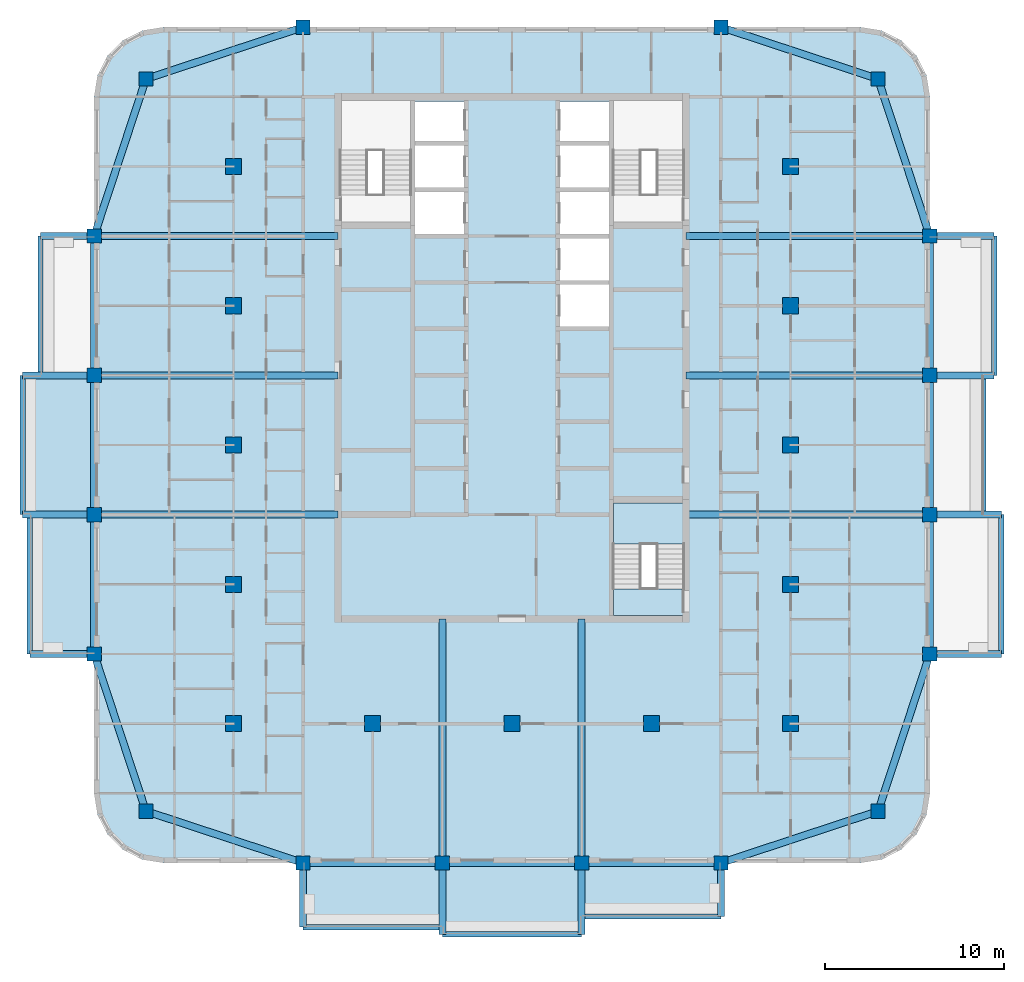
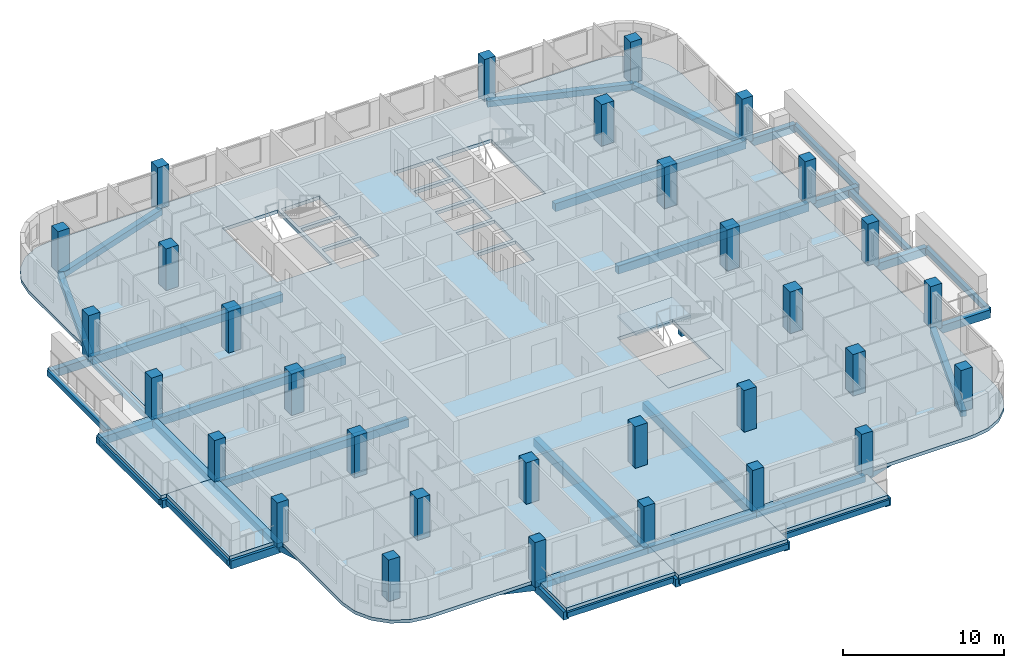
# One storey, part 1 of 16: 46 beams, 31 columns, 8 slabs, 1 element without a shape of its own.
"""IFC4 building model written with IfcOpenShell, lengths in metres."""

import ifcopenshell
import ifcopenshell.guid

model = None  # the IFC model being written
_history = None  # IfcOwnerHistory: only IFC2X3 demands one
_inside = {}  # id of a spatial element -> (the spatial element, [elements in it])
_under = {}  # id of a project, library or spatial element -> (it, [spatial elements below it])
_declared = {}  # id of a project -> (the project, [libraries it declares])
_typed = {}  # id of a type object -> (the type object, [elements of that type])
_made_of = {}  # id of a material, layer set ... -> (it, [elements and type objects made of it])


def new_model(schema):
    """Start an empty IFC model of exactly this schema.

    Asked for "IFC4X3", IfcOpenShell would pick the latest addendum, in which some entities
    have other attributes; the version numbers below select the first issue.
    IFC2X3 requires an IfcOwnerHistory on every rooted entity: one is made here for all.
    """
    global model, _history
    if schema == "IFC4X3":
        model = ifcopenshell.file(schema_version=(4, 3, 0, 0))
    else:
        model = ifcopenshell.file(schema=schema)
    _inside.clear()
    _under.clear()
    _declared.clear()
    _typed.clear()
    _made_of.clear()
    _history = None
    if model.schema == "IFC2X3":
        org = make("IfcOrganization", Name="unknown")
        user = make(
            "IfcPersonAndOrganization",
            ThePerson=make("IfcPerson", FamilyName="unknown"),
            TheOrganization=org,
        )
        app = make(
            "IfcApplication",
            ApplicationDeveloper=org,
            Version="unknown",
            ApplicationFullName="unknown",
            ApplicationIdentifier="unknown",
        )
        _history = make(
            "IfcOwnerHistory",
            OwningUser=user,
            OwningApplication=app,
            ChangeAction="ADDED",
            CreationDate=0,
        )
    return model


def make(cls, **values):
    """One entity of the class cls with the attributes given. An attribute that is None is left unset."""
    return model.create_entity(
        cls, **{name: value for name, value in values.items() if value is not None}
    )


def rooted(cls, **values):
    """An entity with a GlobalId (a new one), such as an element, a storey or a relation."""
    return make(cls, GlobalId=ifcopenshell.guid.new(), OwnerHistory=_history, **values)


def si_unit(unit_type, name, prefix=None):
    """IfcSIUnit, for example si_unit("LENGTHUNIT", "METRE", prefix="MILLI")."""
    return make("IfcSIUnit", UnitType=unit_type, Prefix=prefix, Name=name)


def assignment(units):
    """IfcUnitAssignment: the units of a project."""
    return None if units is None else make("IfcUnitAssignment", Units=units)


def point(xyz):
    """IfcCartesianPoint."""
    return None if xyz is None else make("IfcCartesianPoint", Coordinates=xyz)


def direction(xyz):
    """IfcDirection."""
    return None if xyz is None else make("IfcDirection", DirectionRatios=xyz)


def frame(location, z_axis=None, x_axis=None):
    """IfcAxis2Placement3D, a coordinate frame: its origin and axes. An axis left out is left unset."""
    return make(
        "IfcAxis2Placement3D",
        Location=point(location),
        Axis=direction(z_axis),
        RefDirection=direction(x_axis),
    )


def frame_2d(location, x_axis=None):
    """IfcAxis2Placement2D, a coordinate frame in the plane: its origin and x axis."""
    return make(
        "IfcAxis2Placement2D", Location=point(location), RefDirection=direction(x_axis)
    )


def origin():
    """The frame at (0, 0, 0) with its axes left unset."""
    return frame((0.0, 0.0, 0.0))


def origin_2d():
    """The frame at (0, 0) in the plane with its x axis left unset."""
    return frame_2d((0.0, 0.0))


def place(relative_to, where):
    """IfcLocalPlacement: puts the frame where relative to a parent placement (None: the world)."""
    return make(
        "IfcLocalPlacement", PlacementRelTo=relative_to, RelativePlacement=where
    )


def context(
    kind, dimensions, precision=None, world=None, true_north=None, identifier=None
):
    """IfcGeometricRepresentationContext, for example the 3D "Model" context."""
    return make(
        "IfcGeometricRepresentationContext",
        ContextIdentifier=identifier,
        ContextType=kind,
        CoordinateSpaceDimension=dimensions,
        Precision=precision,
        WorldCoordinateSystem=world,
        TrueNorth=true_north,
    )


def subcontext(parent, identifier, kind, view, scale=None):
    """IfcGeometricRepresentationSubContext, for example "Body" below "Model"."""
    return make(
        "IfcGeometricRepresentationSubContext",
        ContextIdentifier=identifier,
        ContextType=kind,
        ParentContext=parent,
        TargetScale=scale,
        TargetView=view,
    )


def project(units=None, contexts=None):
    """IfcProject with its units and contexts."""
    return rooted(
        "IfcProject",
        Name="project",
        RepresentationContexts=contexts,
        UnitsInContext=assignment(units),
    )


def spatial(cls, under=None, at=None, **own):
    """A site, building, storey or space (cls), placed at a placement, below another one or the project."""
    s = rooted(cls, ObjectPlacement=at, **own)
    if under is not None:
        _under.setdefault(under.id(), (under, []))[1].append(s)
    return s


def polyline(points):
    """IfcPolyline through the points."""
    return make("IfcPolyline", Points=[point(p) for p in points])


def profile(cls, at=None, kind="AREA", **sizes):
    """A parametric profile (cls). Its sizes go by their IFC names, for example OverallWidth=200.0."""
    return make(cls, ProfileType=kind, Position=at, **sizes)


def rectangle(**sizes):
    """IfcRectangleProfileDef."""
    return profile("IfcRectangleProfileDef", **sizes)


def outline(outer, holes=None, kind="AREA"):
    """IfcArbitraryClosedProfileDef: a profile drawn as a closed curve; with holes, ...WithVoids."""
    if holes is None:
        return make("IfcArbitraryClosedProfileDef", ProfileType=kind, OuterCurve=outer)
    return make(
        "IfcArbitraryProfileDefWithVoids",
        ProfileType=kind,
        OuterCurve=outer,
        InnerCurves=holes,
    )


def extrude(swept, where, along, depth):
    """IfcExtrudedAreaSolid: the profile swept, set in the frame where, extruded along a direction by depth."""
    return make(
        "IfcExtrudedAreaSolid",
        SweptArea=swept,
        Position=where,
        ExtrudedDirection=direction(along),
        Depth=depth,
    )


def shape(context_of_items, identifier, shape_type, items):
    """IfcShapeRepresentation: the items that make up one representation, for example the "Body"."""
    return make(
        "IfcShapeRepresentation",
        ContextOfItems=context_of_items,
        RepresentationIdentifier=identifier,
        RepresentationType=shape_type,
        Items=items,
    )


def material(Name=None, Category=None):
    """IfcMaterial."""
    return make("IfcMaterial", Name=Name, Category=Category)


def layer(
    of_material, thickness, ventilated=None, Name=None, Category=None, Priority=None
):
    """IfcMaterialLayer: one layer of a wall or slab, of a material (None: an air gap)."""
    return make(
        "IfcMaterialLayer",
        Material=of_material,
        LayerThickness=thickness,
        IsVentilated=ventilated,
        Name=Name,
        Category=Category,
        Priority=Priority,
    )


def layer_set(layers, Name=None):
    """IfcMaterialLayerSet."""
    return make("IfcMaterialLayerSet", MaterialLayers=layers, LayerSetName=Name)


def material_profile(
    of_material, cross_section, Name=None, Category=None, Priority=None
):
    """IfcMaterialProfile: a cross section and its material."""
    return make(
        "IfcMaterialProfile",
        Name=Name,
        Material=of_material,
        Profile=cross_section,
        Priority=Priority,
        Category=Category,
    )


def profile_set(profiles, Name=None, composite=None):
    """IfcMaterialProfileSet."""
    return make(
        "IfcMaterialProfileSet",
        Name=Name,
        MaterialProfiles=profiles,
        CompositeProfile=composite,
    )


def made_of(thing, what):
    """Note that an element or type object is made of a material, layer set ...; save() writes the relation."""
    if what is not None:
        _made_of.setdefault(what.id(), (what, []))[1].append(thing)
    return thing


def type_object(cls, material=None, **own):
    """A type object (cls), such as IfcWallType, which elements share."""
    return made_of(rooted(cls, **own), material)


def element(
    cls,
    number,
    at=None,
    inside=None,
    cuts=None,
    type_object=None,
    material=None,
    context=None,
    identifier="Body",
    shape_type=None,
    held_by="IfcProductDefinitionShape",
    body=None,
    shapes=None,
    **own,
):
    """One element of the class cls, such as IfcWall. Its Tag is "e" and its number.

    at: its placement. inside: the storey or other place that contains it. cuts: it is an
    opening in that element (IfcRelVoidsElement). A single representation is given by context,
    identifier, shape_type and body (its items); several are given by shapes. held_by: the class
    of the entity that holds the representations. save() writes the other relations.
    """
    e = rooted(cls, Tag="e%d" % number, ObjectPlacement=at, **own)
    if body is not None:
        shapes = [shape(context, identifier, shape_type, body)]
    if shapes is not None:
        e.Representation = make(held_by, Representations=shapes)
    if inside is not None:
        _inside.setdefault(inside.id(), (inside, []))[1].append(e)
    if cuts is not None:
        rooted(
            "IfcRelVoidsElement", RelatingBuildingElement=cuts, RelatedOpeningElement=e
        )
    if type_object is not None:
        _typed.setdefault(type_object.id(), (type_object, []))[1].append(e)
    return made_of(e, material)


def aggregate(whole, parts):
    """IfcRelAggregates: a whole, such as a stair, and the parts it consists of."""
    return rooted("IfcRelAggregates", RelatingObject=whole, RelatedObjects=parts)


def save(model, path):
    """Write the relations noted so far, then the file.

    IfcRelAggregates (storeys below a building ...), IfcRelContainedInSpatialStructure (elements
    in a storey), IfcRelDefinesByType, IfcRelAssociatesMaterial and IfcRelDeclares: one each for
    every whole, place, type object, material and project.
    """
    for whole, parts in _under.values():
        aggregate(whole, parts)
    for where, things in _inside.values():
        rooted(
            "IfcRelContainedInSpatialStructure",
            RelatedElements=things,
            RelatingStructure=where,
        )
    for kind, things in _typed.values():
        rooted("IfcRelDefinesByType", RelatedObjects=things, RelatingType=kind)
    for what, things in _made_of.values():
        rooted("IfcRelAssociatesMaterial", RelatedObjects=things, RelatingMaterial=what)
    for by, libraries in _declared.values():
        rooted("IfcRelDeclares", RelatingContext=by, RelatedDefinitions=libraries)
    model.write(path)


model = new_model("IFC4")

# Units and contexts
model_context = context("Model", 3, precision=1e-05, world=origin(), true_north=direction((0.0, 1.0)))
body_context = subcontext(model_context, "Body", "Model", "MODEL_VIEW")
ifc_project = project(units=[si_unit("LENGTHUNIT", "METRE"), si_unit("AREAUNIT", "SQUARE_METRE"), si_unit("VOLUMEUNIT", "CUBIC_METRE"), si_unit("PLANEANGLEUNIT", "RADIAN"), si_unit("MASSUNIT", "GRAM", prefix="KILO")], contexts=[model_context])

# Site, building, storey
site_placement = place(None, origin())
site = spatial("IfcSite", under=ifc_project, at=site_placement, CompositionType="ELEMENT")
building_placement = place(site_placement, origin())
building = spatial("IfcBuilding", under=site, at=building_placement, Name="Ludao Terraces", CompositionType="ELEMENT")
storey_placement = place(building_placement, frame((0.0, 0.0, 207.5)))
storey = spatial("IfcBuildingStorey", under=building, at=storey_placement, Name="L56", CompositionType="ELEMENT", Elevation=207.5)

# Columns
ifc_material_1 = material(Name="Concrete C50", Category="concrete")
ifc_material_profile_1 = material_profile(ifc_material_1, rectangle(XDim=0.800048828125, YDim=0.800048828125, at=origin_2d()), Name="800 X 800")
ifc_profile_set_1 = profile_set([ifc_material_profile_1], Name="Concrete C50")
column_type_1 = type_object("IfcColumnType", Name="RC column 800x800 C50", PredefinedType="COLUMN", material=ifc_profile_set_1)
for number, where, z_axis, x_axis, name in (
    (1, (64.5, 44.5, -0.25), (0.0, 0.0, 1.0), (1.0, 0.0, 0.0), "Column L56 C0029x0029"),
    (2, (105.5, 44.5, -0.25), (0.0, 0.0, 1.0), (1.0, 0.0, 0.0), "Column L56 C0439x0029"),
    (3, (64.5, 85.5, -0.25), (0.0, 0.0, 1.0), (1.0, 0.0, 0.0), "Column L56 C0029x0439"),
    (4, (105.5, 85.5, -0.25), (0.0, 0.0, 1.0), (1.0, 0.0, 0.0), "Column L56 C0439x0439"),
    (5, (61.60009765625, 53.300048828125, -0.25), (0.0, 0.0, 1.0), (1.0, 0.0, 0.0), "Column L56 F0000x0117"),
    (6, (108.39990234375, 53.300048828125, -0.25), (0.0, 0.0, 1.0), (1.0, 0.0, 0.0), "Column L56 F0468x0117"),
    (7, (73.300048828125, 41.60009765625, -0.25), (0.0, 0.0, 1.0), (1.0, 0.0, 0.0), "Column L56 F0117x0000"),
    (8, (73.300048828125, 88.39990234375, -0.25), (0.0, 0.0, 1.0), (1.0, 0.0, 0.0), "Column L56 F0117x0468"),
    (9, (61.60009765625, 61.10009765625, -0.25), (0.0, 0.0, 1.0), (1.0, 0.0, 0.0), "Column L56 F0000x0195"),
    (10, (108.39990234375, 61.10009765625, -0.25), (0.0, 0.0, 1.0), (1.0, 0.0, 0.0), "Column L56 F0468x0195"),
    (11, (81.10009765625, 41.60009765625, -0.25), (0.0, 0.0, 1.0), (1.0, 0.0, 0.0), "Column L56 F0195x0000"),
    (12, (61.60009765625, 68.89990234375, -0.25), (0.0, 0.0, 1.0), (1.0, 0.0, 0.0), "Column L56 F0000x0273"),
    (13, (108.39990234375, 68.89990234375, -0.25), (0.0, 0.0, 1.0), (1.0, 0.0, 0.0), "Column L56 F0468x0273"),
    (14, (88.89990234375, 41.60009765625, -0.25), (0.0, 0.0, 1.0), (1.0, 0.0, 0.0), "Column L56 F0273x0000"),
    (15, (61.60009765625, 76.699951171875, -0.25), (0.0, 0.0, 1.0), (1.0, 0.0, 0.0), "Column L56 F0000x0351"),
    (16, (108.39990234375, 76.699951171875, -0.25), (0.0, 0.0, 1.0), (1.0, 0.0, 0.0), "Column L56 F0468x0351"),
    (17, (96.699951171875, 41.60009765625, -0.25), (0.0, 0.0, 1.0), (1.0, 0.0, 0.0), "Column L56 F0351x0000"),
    (18, (96.699951171875, 88.39990234375, -0.25), (0.0, 0.0, 1.0), (1.0, 0.0, 0.0), "Column L56 F0351x0468"),
):
    element("IfcColumn", number, at=place(storey_placement, frame(where, z_axis=z_axis, x_axis=x_axis)), inside=storey, type_object=column_type_1, Name=name, PredefinedType="COLUMN", context=body_context, shape_type="SweptSolid", body=[
        extrude(rectangle(XDim=0.800048828125, YDim=0.800048828125, at=origin_2d()), origin(), (0.0, 0.0, 1.0), 3.39990234375),
    ])
ifc_material_profile_2 = material_profile(ifc_material_1, rectangle(XDim=0.89990234375, YDim=0.89990234375, at=origin_2d()), Name="900 X 900")
ifc_profile_set_2 = profile_set([ifc_material_profile_2], Name="Concrete C50")
column_type_2 = type_object("IfcColumnType", Name="RC column 900x900 C50", PredefinedType="COLUMN", material=ifc_profile_set_2)
for number, where, z_axis, x_axis, name in (
    (19, (69.39990234375, 49.39990234375, -0.25), (0.0, 0.0, 1.0), (1.0, 0.0, 0.0), "Column L56 S0078x0078"),
    (20, (69.39990234375, 57.199951171875, -0.25), (0.0, 0.0, 1.0), (1.0, 0.0, 0.0), "Column L56 S0078x0156"),
    (21, (69.39990234375, 65.0, -0.25), (0.0, 0.0, 1.0), (1.0, 0.0, 0.0), "Column L56 S0078x0234"),
    (22, (69.39990234375, 72.800048828125, -0.25), (0.0, 0.0, 1.0), (1.0, 0.0, 0.0), "Column L56 S0078x0312"),
    (23, (69.39990234375, 80.60009765625, -0.25), (0.0, 0.0, 1.0), (1.0, 0.0, 0.0), "Column L56 S0078x0390"),
    (24, (77.199951171875, 49.39990234375, -0.25), (0.0, 0.0, 1.0), (1.0, 0.0, 0.0), "Column L56 S0156x0078"),
    (25, (85.0, 49.39990234375, -0.25), (0.0, 0.0, 1.0), (1.0, 0.0, 0.0), "Column L56 S0234x0078"),
    (26, (92.800048828125, 49.39990234375, -0.25), (0.0, 0.0, 1.0), (1.0, 0.0, 0.0), "Column L56 S0312x0078"),
    (27, (100.60009765625, 49.39990234375, -0.25), (0.0, 0.0, 1.0), (1.0, 0.0, 0.0), "Column L56 S0390x0078"),
    (28, (100.60009765625, 57.199951171875, -0.25), (0.0, 0.0, 1.0), (1.0, 0.0, 0.0), "Column L56 S0390x0156"),
    (29, (100.60009765625, 65.0, -0.25), (0.0, 0.0, 1.0), (1.0, 0.0, 0.0), "Column L56 S0390x0234"),
    (30, (100.60009765625, 72.800048828125, -0.25), (0.0, 0.0, 1.0), (1.0, 0.0, 0.0), "Column L56 S0390x0312"),
    (31, (100.60009765625, 80.60009765625, -0.25), (0.0, 0.0, 1.0), (1.0, 0.0, 0.0), "Column L56 S0390x0390"),
):
    element("IfcColumn", number, at=place(storey_placement, frame(where, z_axis=z_axis, x_axis=x_axis)), inside=storey, type_object=column_type_2, Name=name, PredefinedType="COLUMN", context=body_context, shape_type="SweptSolid", body=[
        extrude(rectangle(XDim=0.89990234375, YDim=0.89990234375, at=origin_2d()), origin(), (0.0, 0.0, 1.0), 3.39990234375),
    ])

# Beams
ifc_material_2 = material(Name="Concrete C40", Category="concrete")
ifc_material_profile_3 = material_profile(ifc_material_2, rectangle(XDim=0.300048828125, YDim=0.39990234375, at=origin_2d()), Name="300 X 400")
ifc_profile_set_3 = profile_set([ifc_material_profile_3], Name="Concrete C40")
beam_type_1 = type_object("IfcBeamType", Name="RC beam 300x400 C40", PredefinedType="BEAM", material=ifc_profile_set_3)
beam_1_placement = place(storey_placement, frame((73.300048828125, 38.0, -0.449951171875), z_axis=(1.0, 0.0, 0.0), x_axis=(0.0, 1.0, 0.0)))
element("IfcBeam", 32, at=beam_1_placement, inside=storey, type_object=beam_type_1, Name="Balcony edge beam L56 S1", PredefinedType="BEAM", context=body_context, shape_type="SweptSolid", body=[
    extrude(rectangle(XDim=0.300048828125, YDim=0.39990234375, at=origin_2d()), origin(), (0.0, 0.0, 1.0), 7.800048828125),
])
beam_2_placement = place(storey_placement, frame((81.10009765625, 37.60009765625, -0.449951171875), z_axis=(1.0, 0.0, 0.0), x_axis=(0.0, 1.0, 0.0)))
element("IfcBeam", 33, at=beam_2_placement, inside=storey, type_object=beam_type_1, Name="Balcony edge beam L56 S2", PredefinedType="BEAM", context=body_context, shape_type="SweptSolid", body=[
    extrude(rectangle(XDim=0.300048828125, YDim=0.39990234375, at=origin_2d()), origin(), (0.0, 0.0, 1.0), 7.7998046875),
])
for number, where, z_axis, x_axis, name in (
    (34, (88.89990234375, 38.60009765625, -0.449951171875), (1.0, 0.0, 0.0), (0.0, 1.0, 0.0), "Balcony edge beam L56 S3"),
    (35, (112.39990234375, 53.300048828125, -0.449951171875), (0.0, 1.0, 0.0), (-1.0, 0.0, 0.0), "Balcony edge beam L56 E1"),
):
    element("IfcBeam", number, at=place(storey_placement, frame(where, z_axis=z_axis, x_axis=x_axis)), inside=storey, type_object=beam_type_1, Name=name, PredefinedType="BEAM", context=body_context, shape_type="SweptSolid", body=[
        extrude(rectangle(XDim=0.300048828125, YDim=0.39990234375, at=origin_2d()), origin(), (0.0, 0.0, 1.0), 7.800048828125),
    ])
beam_3_placement = place(storey_placement, frame((111.39990234375, 61.10009765625, -0.449951171875), z_axis=(0.0, 1.0, 0.0), x_axis=(-1.0, 0.0, 0.0)))
element("IfcBeam", 36, at=beam_3_placement, inside=storey, type_object=beam_type_1, Name="Balcony edge beam L56 E2", PredefinedType="BEAM", context=body_context, shape_type="SweptSolid", body=[
    extrude(rectangle(XDim=0.300048828125, YDim=0.39990234375, at=origin_2d()), origin(), (0.0, 0.0, 1.0), 7.7998046875),
])
for number, where, z_axis, x_axis, name in (
    (37, (112.0, 68.89990234375, -0.449951171875), (0.0, 1.0, 0.0), (-1.0, 0.0, 0.0), "Balcony edge beam L56 E3"),
    (38, (58.0, 53.300048828125, -0.449951171875), (0.0, 1.0, 0.0), (-1.0, 0.0, 0.0), "Balcony edge beam L56 W1"),
):
    element("IfcBeam", number, at=place(storey_placement, frame(where, z_axis=z_axis, x_axis=x_axis)), inside=storey, type_object=beam_type_1, Name=name, PredefinedType="BEAM", context=body_context, shape_type="SweptSolid", body=[
        extrude(rectangle(XDim=0.300048828125, YDim=0.39990234375, at=origin_2d()), origin(), (0.0, 0.0, 1.0), 7.800048828125),
    ])
beam_4_placement = place(storey_placement, frame((57.60009765625, 61.10009765625, -0.449951171875), z_axis=(0.0, 1.0, 0.0), x_axis=(-1.0, 0.0, 0.0)))
element("IfcBeam", 39, at=beam_4_placement, inside=storey, type_object=beam_type_1, Name="Balcony edge beam L56 W2", PredefinedType="BEAM", context=body_context, shape_type="SweptSolid", body=[
    extrude(rectangle(XDim=0.300048828125, YDim=0.39990234375, at=origin_2d()), origin(), (0.0, 0.0, 1.0), 7.7998046875),
])
beam_5_placement = place(storey_placement, frame((58.60009765625, 68.89990234375, -0.449951171875), z_axis=(0.0, 1.0, 0.0), x_axis=(-1.0, 0.0, 0.0)))
element("IfcBeam", 40, at=beam_5_placement, inside=storey, type_object=beam_type_1, Name="Balcony edge beam L56 W3", PredefinedType="BEAM", context=body_context, shape_type="SweptSolid", body=[
    extrude(rectangle(XDim=0.300048828125, YDim=0.39990234375, at=origin_2d()), origin(), (0.0, 0.0, 1.0), 7.800048828125),
])
ifc_material_profile_4 = material_profile(ifc_material_2, rectangle(XDim=0.39990234375, YDim=0.449951171875, at=origin_2d()), Name="400 X 450")
ifc_profile_set_4 = profile_set([ifc_material_profile_4], Name="Concrete C40")
beam_type_2 = type_object("IfcBeamType", Name="RC beam 400x450 C40", PredefinedType="BEAM", material=ifc_profile_set_4)
beam_6_placement = place(storey_placement, frame((64.5, 44.5, -0.47509765625), z_axis=(0.949760691408, -0.312977042379, 0.0), x_axis=(0.312977042379, 0.949760691408, 0.0)))
element("IfcBeam", 41, at=beam_6_placement, inside=storey, type_object=beam_type_2, Name="Spandrel beam L56 S1", PredefinedType="BEAM", context=body_context, shape_type="SweptSolid", body=[
    extrude(rectangle(XDim=0.39990234375, YDim=0.449951171875, at=origin_2d()), origin(), (0.0, 0.0, 1.0), 9.265625),
])
beam_7_placement = place(storey_placement, frame((73.300048828125, 41.60009765625, -0.47509765625), z_axis=(1.0, 0.0, 0.0), x_axis=(0.0, 1.0, 0.0)))
element("IfcBeam", 42, at=beam_7_placement, inside=storey, type_object=beam_type_2, Name="Spandrel beam L56 S2", PredefinedType="BEAM", context=body_context, shape_type="SweptSolid", body=[
    extrude(rectangle(XDim=0.39990234375, YDim=0.449951171875, at=origin_2d()), origin(), (0.0, 0.0, 1.0), 7.800048828125),
])
beam_8_placement = place(storey_placement, frame((81.10009765625, 41.60009765625, -0.47509765625), z_axis=(1.0, 0.0, 0.0), x_axis=(0.0, 1.0, 0.0)))
element("IfcBeam", 43, at=beam_8_placement, inside=storey, type_object=beam_type_2, Name="Spandrel beam L56 S3", PredefinedType="BEAM", context=body_context, shape_type="SweptSolid", body=[
    extrude(rectangle(XDim=0.39990234375, YDim=0.449951171875, at=origin_2d()), origin(), (0.0, 0.0, 1.0), 7.7998046875),
])
beam_9_placement = place(storey_placement, frame((88.89990234375, 41.60009765625, -0.47509765625), z_axis=(1.0, 0.0, 0.0), x_axis=(0.0, 1.0, 0.0)))
element("IfcBeam", 44, at=beam_9_placement, inside=storey, type_object=beam_type_2, Name="Spandrel beam L56 S4", PredefinedType="BEAM", context=body_context, shape_type="SweptSolid", body=[
    extrude(rectangle(XDim=0.39990234375, YDim=0.449951171875, at=origin_2d()), origin(), (0.0, 0.0, 1.0), 7.800048828125),
])
for number, where, z_axis, x_axis, name in (
    (45, (96.699951171875, 41.60009765625, -0.47509765625), (0.949760691408, 0.312977042379, 0.0), (-0.312977042379, 0.949760691408, 0.0), "Spandrel beam L56 S5"),
    (46, (64.5, 85.5, -0.47509765625), (0.949760691408, 0.312977042379, 0.0), (-0.312977042379, 0.949760691408, 0.0), "Spandrel beam L56 N6"),
    (47, (96.699951171875, 88.39990234375, -0.47509765625), (0.949760691408, -0.312977042379, 0.0), (0.312977042379, 0.949760691408, 0.0), "Spandrel beam L56 N7"),
    (48, (64.5, 44.5, -0.47509765625), (-0.312977042379, 0.949760691408, 0.0), (-0.949760691408, -0.312977042379, 0.0), "Spandrel beam L56 W8"),
):
    element("IfcBeam", number, at=place(storey_placement, frame(where, z_axis=z_axis, x_axis=x_axis)), inside=storey, type_object=beam_type_2, Name=name, PredefinedType="BEAM", context=body_context, shape_type="SweptSolid", body=[
        extrude(rectangle(XDim=0.39990234375, YDim=0.449951171875, at=origin_2d()), origin(), (0.0, 0.0, 1.0), 9.265625),
    ])
beam_10_placement = place(storey_placement, frame((61.60009765625, 53.300048828125, -0.47509765625), z_axis=(0.0, 1.0, 0.0), x_axis=(-1.0, 0.0, 0.0)))
element("IfcBeam", 49, at=beam_10_placement, inside=storey, type_object=beam_type_2, Name="Spandrel beam L56 W9", PredefinedType="BEAM", context=body_context, shape_type="SweptSolid", body=[
    extrude(rectangle(XDim=0.39990234375, YDim=0.449951171875, at=origin_2d()), origin(), (0.0, 0.0, 1.0), 7.800048828125),
])
beam_11_placement = place(storey_placement, frame((61.60009765625, 61.10009765625, -0.47509765625), z_axis=(0.0, 1.0, 0.0), x_axis=(-1.0, 0.0, 0.0)))
element("IfcBeam", 50, at=beam_11_placement, inside=storey, type_object=beam_type_2, Name="Spandrel beam L56 W10", PredefinedType="BEAM", context=body_context, shape_type="SweptSolid", body=[
    extrude(rectangle(XDim=0.39990234375, YDim=0.449951171875, at=origin_2d()), origin(), (0.0, 0.0, 1.0), 7.7998046875),
])
beam_12_placement = place(storey_placement, frame((61.60009765625, 68.89990234375, -0.47509765625), z_axis=(0.0, 1.0, 0.0), x_axis=(-1.0, 0.0, 0.0)))
element("IfcBeam", 51, at=beam_12_placement, inside=storey, type_object=beam_type_2, Name="Spandrel beam L56 W11", PredefinedType="BEAM", context=body_context, shape_type="SweptSolid", body=[
    extrude(rectangle(XDim=0.39990234375, YDim=0.449951171875, at=origin_2d()), origin(), (0.0, 0.0, 1.0), 7.800048828125),
])
for number, where, z_axis, x_axis, name in (
    (52, (61.60009765625, 76.699951171875, -0.47509765625), (0.312977042379, 0.949760691408, 0.0), (-0.949760691408, 0.312977042379, 0.0), "Spandrel beam L56 W12"),
    (53, (105.5, 44.5, -0.47509765625), (0.312977042379, 0.949760691408, 0.0), (-0.949760691408, 0.312977042379, 0.0), "Spandrel beam L56 E13"),
):
    element("IfcBeam", number, at=place(storey_placement, frame(where, z_axis=z_axis, x_axis=x_axis)), inside=storey, type_object=beam_type_2, Name=name, PredefinedType="BEAM", context=body_context, shape_type="SweptSolid", body=[
        extrude(rectangle(XDim=0.39990234375, YDim=0.449951171875, at=origin_2d()), origin(), (0.0, 0.0, 1.0), 9.265625),
    ])
beam_13_placement = place(storey_placement, frame((108.39990234375, 53.300048828125, -0.47509765625), z_axis=(0.0, 1.0, 0.0), x_axis=(-1.0, 0.0, 0.0)))
element("IfcBeam", 54, at=beam_13_placement, inside=storey, type_object=beam_type_2, Name="Spandrel beam L56 E14", PredefinedType="BEAM", context=body_context, shape_type="SweptSolid", body=[
    extrude(rectangle(XDim=0.39990234375, YDim=0.449951171875, at=origin_2d()), origin(), (0.0, 0.0, 1.0), 7.800048828125),
])
beam_14_placement = place(storey_placement, frame((108.39990234375, 61.10009765625, -0.47509765625), z_axis=(0.0, 1.0, 0.0), x_axis=(-1.0, 0.0, 0.0)))
element("IfcBeam", 55, at=beam_14_placement, inside=storey, type_object=beam_type_2, Name="Spandrel beam L56 E15", PredefinedType="BEAM", context=body_context, shape_type="SweptSolid", body=[
    extrude(rectangle(XDim=0.39990234375, YDim=0.449951171875, at=origin_2d()), origin(), (0.0, 0.0, 1.0), 7.7998046875),
])
beam_15_placement = place(storey_placement, frame((108.39990234375, 68.89990234375, -0.47509765625), z_axis=(0.0, 1.0, 0.0), x_axis=(-1.0, 0.0, 0.0)))
element("IfcBeam", 56, at=beam_15_placement, inside=storey, type_object=beam_type_2, Name="Spandrel beam L56 E16", PredefinedType="BEAM", context=body_context, shape_type="SweptSolid", body=[
    extrude(rectangle(XDim=0.39990234375, YDim=0.449951171875, at=origin_2d()), origin(), (0.0, 0.0, 1.0), 7.800048828125),
])
beam_16_placement = place(storey_placement, frame((108.39990234375, 76.699951171875, -0.47509765625), z_axis=(-0.312977042379, 0.949760691408, 0.0), x_axis=(-0.949760691408, -0.312977042379, 0.0)))
element("IfcBeam", 57, at=beam_16_placement, inside=storey, type_object=beam_type_2, Name="Spandrel beam L56 E17", PredefinedType="BEAM", context=body_context, shape_type="SweptSolid", body=[
    extrude(rectangle(XDim=0.39990234375, YDim=0.449951171875, at=origin_2d()), origin(), (0.0, 0.0, 1.0), 9.265625),
])
ifc_material_profile_5 = material_profile(ifc_material_2, rectangle(XDim=0.39990234375, YDim=0.60009765625, at=origin_2d()), Name="400 X 600")
ifc_profile_set_5 = profile_set([ifc_material_profile_5], Name="Concrete C40")
beam_type_3 = type_object("IfcBeamType", Name="RC beam 400x600 C40", PredefinedType="BEAM", material=ifc_profile_set_5)
beam_17_placement = place(storey_placement, frame((108.39990234375, 53.300048828125, -0.550048828125), z_axis=(1.0, 0.0, 0.0), x_axis=(0.0, 1.0, 0.0)))
element("IfcBeam", 58, at=beam_17_placement, inside=storey, type_object=beam_type_3, Name="Balcony beam L56 E533", PredefinedType="BEAM", context=body_context, shape_type="SweptSolid", body=[
    extrude(rectangle(XDim=0.39990234375, YDim=0.60009765625, at=origin_2d()), origin(), (0.0, 0.0, 1.0), 4.0),
])
beam_18_placement = place(storey_placement, frame((94.75, 61.10009765625, -0.550048828125), z_axis=(1.0, 0.0, 0.0), x_axis=(0.0, 1.0, 0.0)))
element("IfcBeam", 59, at=beam_18_placement, inside=storey, type_object=beam_type_3, Name="Balcony beam L56 E611", PredefinedType="BEAM", context=body_context, shape_type="SweptSolid", body=[
    extrude(rectangle(XDim=0.39990234375, YDim=0.60009765625, at=origin_2d()), origin(), (0.0, 0.0, 1.0), 13.64990234375),
])
beam_19_placement = place(storey_placement, frame((108.39990234375, 61.10009765625, -0.550048828125), z_axis=(1.0, 0.0, 0.0), x_axis=(0.0, 1.0, 0.0)))
element("IfcBeam", 60, at=beam_19_placement, inside=storey, type_object=beam_type_3, Name="Balcony beam L56 E611", PredefinedType="BEAM", context=body_context, shape_type="SweptSolid", body=[
    extrude(rectangle(XDim=0.39990234375, YDim=0.60009765625, at=origin_2d()), origin(), (0.0, 0.0, 1.0), 4.0),
])
beam_20_placement = place(storey_placement, frame((94.75, 68.89990234375, -0.550048828125), z_axis=(1.0, 0.0, 0.0), x_axis=(0.0, 1.0, 0.0)))
element("IfcBeam", 61, at=beam_20_placement, inside=storey, type_object=beam_type_3, Name="Balcony beam L56 E689", PredefinedType="BEAM", context=body_context, shape_type="SweptSolid", body=[
    extrude(rectangle(XDim=0.39990234375, YDim=0.60009765625, at=origin_2d()), origin(), (0.0, 0.0, 1.0), 13.64990234375),
])
beam_21_placement = place(storey_placement, frame((108.39990234375, 68.89990234375, -0.550048828125), z_axis=(1.0, 0.0, 0.0), x_axis=(0.0, 1.0, 0.0)))
element("IfcBeam", 62, at=beam_21_placement, inside=storey, type_object=beam_type_3, Name="Balcony beam L56 E689", PredefinedType="BEAM", context=body_context, shape_type="SweptSolid", body=[
    extrude(rectangle(XDim=0.39990234375, YDim=0.60009765625, at=origin_2d()), origin(), (0.0, 0.0, 1.0), 3.60009765625),
])
beam_22_placement = place(storey_placement, frame((94.75, 76.699951171875, -0.550048828125), z_axis=(1.0, 0.0, 0.0), x_axis=(0.0, 1.0, 0.0)))
element("IfcBeam", 63, at=beam_22_placement, inside=storey, type_object=beam_type_3, Name="Balcony beam L56 E767", PredefinedType="BEAM", context=body_context, shape_type="SweptSolid", body=[
    extrude(rectangle(XDim=0.39990234375, YDim=0.60009765625, at=origin_2d()), origin(), (0.0, 0.0, 1.0), 13.64990234375),
])
for number, where, z_axis, x_axis, name in (
    (64, (108.39990234375, 76.699951171875, -0.550048828125), (1.0, 0.0, 0.0), (0.0, 1.0, 0.0), "Balcony beam L56 E767"),
    (65, (73.300048828125, 41.60009765625, -0.550048828125), (0.0, -1.0, 0.0), (1.0, 0.0, 0.0), "Balcony beam L56 S733"),
):
    element("IfcBeam", number, at=place(storey_placement, frame(where, z_axis=z_axis, x_axis=x_axis)), inside=storey, type_object=beam_type_3, Name=name, PredefinedType="BEAM", context=body_context, shape_type="SweptSolid", body=[
        extrude(rectangle(XDim=0.39990234375, YDim=0.60009765625, at=origin_2d()), origin(), (0.0, 0.0, 1.0), 3.60009765625),
    ])
beam_23_placement = place(storey_placement, frame((81.10009765625, 55.25, -0.550048828125), z_axis=(0.0, -1.0, 0.0), x_axis=(1.0, 0.0, 0.0)))
element("IfcBeam", 66, at=beam_23_placement, inside=storey, type_object=beam_type_3, Name="Balcony beam L56 S811", PredefinedType="BEAM", context=body_context, shape_type="SweptSolid", body=[
    extrude(rectangle(XDim=0.39990234375, YDim=0.60009765625, at=origin_2d()), origin(), (0.0, 0.0, 1.0), 13.64990234375),
])
beam_24_placement = place(storey_placement, frame((81.10009765625, 41.60009765625, -0.550048828125), z_axis=(0.0, -1.0, 0.0), x_axis=(1.0, 0.0, 0.0)))
element("IfcBeam", 67, at=beam_24_placement, inside=storey, type_object=beam_type_3, Name="Balcony beam L56 S811", PredefinedType="BEAM", context=body_context, shape_type="SweptSolid", body=[
    extrude(rectangle(XDim=0.39990234375, YDim=0.60009765625, at=origin_2d()), origin(), (0.0, 0.0, 1.0), 4.0),
])
beam_25_placement = place(storey_placement, frame((88.89990234375, 55.25, -0.550048828125), z_axis=(0.0, -1.0, 0.0), x_axis=(1.0, 0.0, 0.0)))
element("IfcBeam", 68, at=beam_25_placement, inside=storey, type_object=beam_type_3, Name="Balcony beam L56 S889", PredefinedType="BEAM", context=body_context, shape_type="SweptSolid", body=[
    extrude(rectangle(XDim=0.39990234375, YDim=0.60009765625, at=origin_2d()), origin(), (0.0, 0.0, 1.0), 13.64990234375),
])
beam_26_placement = place(storey_placement, frame((88.89990234375, 41.60009765625, -0.550048828125), z_axis=(0.0, -1.0, 0.0), x_axis=(1.0, 0.0, 0.0)))
element("IfcBeam", 69, at=beam_26_placement, inside=storey, type_object=beam_type_3, Name="Balcony beam L56 S889", PredefinedType="BEAM", context=body_context, shape_type="SweptSolid", body=[
    extrude(rectangle(XDim=0.39990234375, YDim=0.60009765625, at=origin_2d()), origin(), (0.0, 0.0, 1.0), 4.0),
])
beam_27_placement = place(storey_placement, frame((96.699951171875, 41.60009765625, -0.550048828125), z_axis=(0.0, -1.0, 0.0), x_axis=(1.0, 0.0, 0.0)))
element("IfcBeam", 70, at=beam_27_placement, inside=storey, type_object=beam_type_3, Name="Balcony beam L56 S967", PredefinedType="BEAM", context=body_context, shape_type="SweptSolid", body=[
    extrude(rectangle(XDim=0.39990234375, YDim=0.60009765625, at=origin_2d()), origin(), (0.0, 0.0, 1.0), 3.0),
])
beam_28_placement = place(storey_placement, frame((61.60009765625, 53.300048828125, -0.550048828125), z_axis=(-1.0, 0.0, 0.0), x_axis=(0.0, -1.0, 0.0)))
element("IfcBeam", 71, at=beam_28_placement, inside=storey, type_object=beam_type_3, Name="Balcony beam L56 W533", PredefinedType="BEAM", context=body_context, shape_type="SweptSolid", body=[
    extrude(rectangle(XDim=0.39990234375, YDim=0.60009765625, at=origin_2d()), origin(), (0.0, 0.0, 1.0), 3.60009765625),
])
beam_29_placement = place(storey_placement, frame((75.25, 61.10009765625, -0.550048828125), z_axis=(-1.0, 0.0, 0.0), x_axis=(0.0, -1.0, 0.0)))
element("IfcBeam", 72, at=beam_29_placement, inside=storey, type_object=beam_type_3, Name="Balcony beam L56 W611", PredefinedType="BEAM", context=body_context, shape_type="SweptSolid", body=[
    extrude(rectangle(XDim=0.39990234375, YDim=0.60009765625, at=origin_2d()), origin(), (0.0, 0.0, 1.0), 13.64990234375),
])
beam_30_placement = place(storey_placement, frame((61.60009765625, 61.10009765625, -0.550048828125), z_axis=(-1.0, 0.0, 0.0), x_axis=(0.0, -1.0, 0.0)))
element("IfcBeam", 73, at=beam_30_placement, inside=storey, type_object=beam_type_3, Name="Balcony beam L56 W611", PredefinedType="BEAM", context=body_context, shape_type="SweptSolid", body=[
    extrude(rectangle(XDim=0.39990234375, YDim=0.60009765625, at=origin_2d()), origin(), (0.0, 0.0, 1.0), 4.0),
])
beam_31_placement = place(storey_placement, frame((75.25, 68.89990234375, -0.550048828125), z_axis=(-1.0, 0.0, 0.0), x_axis=(0.0, -1.0, 0.0)))
element("IfcBeam", 74, at=beam_31_placement, inside=storey, type_object=beam_type_3, Name="Balcony beam L56 W689", PredefinedType="BEAM", context=body_context, shape_type="SweptSolid", body=[
    extrude(rectangle(XDim=0.39990234375, YDim=0.60009765625, at=origin_2d()), origin(), (0.0, 0.0, 1.0), 13.64990234375),
])
beam_32_placement = place(storey_placement, frame((61.60009765625, 68.89990234375, -0.550048828125), z_axis=(-1.0, 0.0, 0.0), x_axis=(0.0, -1.0, 0.0)))
element("IfcBeam", 75, at=beam_32_placement, inside=storey, type_object=beam_type_3, Name="Balcony beam L56 W689", PredefinedType="BEAM", context=body_context, shape_type="SweptSolid", body=[
    extrude(rectangle(XDim=0.39990234375, YDim=0.60009765625, at=origin_2d()), origin(), (0.0, 0.0, 1.0), 4.0),
])
beam_33_placement = place(storey_placement, frame((75.25, 76.699951171875, -0.550048828125), z_axis=(-1.0, 0.0, 0.0), x_axis=(0.0, -1.0, 0.0)))
element("IfcBeam", 76, at=beam_33_placement, inside=storey, type_object=beam_type_3, Name="Balcony beam L56 W767", PredefinedType="BEAM", context=body_context, shape_type="SweptSolid", body=[
    extrude(rectangle(XDim=0.39990234375, YDim=0.60009765625, at=origin_2d()), origin(), (0.0, 0.0, 1.0), 13.64990234375),
])
beam_34_placement = place(storey_placement, frame((61.60009765625, 76.699951171875, -0.550048828125), z_axis=(-1.0, 0.0, 0.0), x_axis=(0.0, -1.0, 0.0)))
element("IfcBeam", 77, at=beam_34_placement, inside=storey, type_object=beam_type_3, Name="Balcony beam L56 W767", PredefinedType="BEAM", context=body_context, shape_type="SweptSolid", body=[
    extrude(rectangle(XDim=0.39990234375, YDim=0.60009765625, at=origin_2d()), origin(), (0.0, 0.0, 1.0), 3.0),
])

# Slabs
ifc_layer_1 = layer(ifc_material_2, 0.25)
ifc_layer_set_1 = layer_set([ifc_layer_1], Name="Balcony slab 250 C40")
slab_type_1 = type_object("IfcSlabType", Name="Balcony slab 250 C40", PredefinedType="USERDEFINED", material=ifc_layer_set_1)
slab_1_placement = place(storey_placement, frame((0.0, 0.0, -0.25)))
element("IfcSlab", 78, at=slab_1_placement, inside=storey, type_object=slab_type_1, Name="Balcony L56 S1", ObjectType="BALCONY", PredefinedType="USERDEFINED", context=body_context, shape_type="SweptSolid", body=[
    extrude(outline(polyline([(73.300048828125, 38.0), (81.10009765625, 38.0), (81.10009765625, 41.60009765625), (73.300048828125, 41.60009765625), (73.300048828125, 38.0)])), origin(), (0.0, 0.0, 1.0), 0.25),
])
slab_2_placement = place(storey_placement, frame((0.0, 0.0, -0.25)))
element("IfcSlab", 79, at=slab_2_placement, inside=storey, type_object=slab_type_1, Name="Balcony L56 S2", ObjectType="BALCONY", PredefinedType="USERDEFINED", context=body_context, shape_type="SweptSolid", body=[
    extrude(outline(polyline([(81.10009765625, 37.60009765625), (88.89990234375, 37.60009765625), (88.89990234375, 41.60009765625), (81.10009765625, 41.60009765625), (81.10009765625, 37.60009765625)])), origin(), (0.0, 0.0, 1.0), 0.25),
])
slab_3_placement = place(storey_placement, frame((0.0, 0.0, -0.25)))
element("IfcSlab", 80, at=slab_3_placement, inside=storey, type_object=slab_type_1, Name="Balcony L56 S3", ObjectType="BALCONY", PredefinedType="USERDEFINED", context=body_context, shape_type="SweptSolid", body=[
    extrude(outline(polyline([(88.89990234375, 38.60009765625), (96.699951171875, 38.60009765625), (96.699951171875, 41.60009765625), (88.89990234375, 41.60009765625), (88.89990234375, 38.60009765625)])), origin(), (0.0, 0.0, 1.0), 0.25),
])
slab_4_placement = place(storey_placement, frame((0.0, 0.0, -0.25)))
element("IfcSlab", 81, at=slab_4_placement, inside=storey, type_object=slab_type_1, Name="Balcony L56 W1", ObjectType="BALCONY", PredefinedType="USERDEFINED", context=body_context, shape_type="SweptSolid", body=[
    extrude(outline(polyline([(58.0, 53.300048828125), (61.60009765625, 53.300048828125), (61.60009765625, 61.10009765625), (58.0, 61.10009765625), (58.0, 53.300048828125)])), origin(), (0.0, 0.0, 1.0), 0.25),
])
slab_5_placement = place(storey_placement, frame((0.0, 0.0, -0.25)))
element("IfcSlab", 82, at=slab_5_placement, inside=storey, type_object=slab_type_1, Name="Balcony L56 W2", ObjectType="BALCONY", PredefinedType="USERDEFINED", context=body_context, shape_type="SweptSolid", body=[
    extrude(outline(polyline([(57.60009765625, 61.10009765625), (61.60009765625, 61.10009765625), (61.60009765625, 68.89990234375), (57.60009765625, 68.89990234375), (57.60009765625, 61.10009765625)])), origin(), (0.0, 0.0, 1.0), 0.25),
])
ifc_layer_2 = layer(ifc_material_2, 0.25)
ifc_layer_set_2 = layer_set([ifc_layer_2], Name="Floor slab 250 C40")
slab_type_2 = type_object("IfcSlabType", Name="Floor slab 250 C40", PredefinedType="FLOOR", material=ifc_layer_set_2)
slab_6_placement = place(storey_placement, frame((0.0, 0.0, -0.25)))
element("IfcSlab", 83, at=slab_6_placement, inside=storey, type_object=slab_type_2, Name="Slab L56", PredefinedType="FLOOR", context=body_context, shape_type="SweptSolid", body=[
    extrude(outline(polyline([(104.5, 41.60009765625), (105.705078125, 41.790771484375), (106.79248046875, 42.3447265625), (107.6552734375, 43.20751953125), (108.209228515625, 44.294921875), (108.39990234375, 45.5), (108.39990234375, 84.5), (108.209228515625, 85.705078125), (107.6552734375, 86.79248046875), (106.79248046875, 87.6552734375), (105.705078125, 88.209228515625), (104.5, 88.39990234375), (65.5, 88.39990234375), (64.294921875, 88.209228515625), (63.20751953125, 87.6552734375), (62.3447265625, 86.79248046875), (61.790771484375, 85.705078125), (61.60009765625, 84.5), (61.60009765625, 45.5), (61.790771484375, 44.294921875), (62.3447265625, 43.20751953125), (63.20751953125, 42.3447265625), (64.294921875, 41.790771484375), (65.5, 41.60009765625), (104.5, 41.60009765625)]), holes=[polyline([(79.574951171875, 76.824951171875), (82.324951171875, 76.824951171875), (82.324951171875, 79.175048828125), (79.574951171875, 79.175048828125), (79.574951171875, 76.824951171875)]), polyline([(79.574951171875, 79.425048828125), (82.324951171875, 79.425048828125), (82.324951171875, 81.77490234375), (79.574951171875, 81.77490234375), (79.574951171875, 79.425048828125)]), polyline([(79.574951171875, 82.02490234375), (82.324951171875, 82.02490234375), (82.324951171875, 84.239990234375), (79.574951171875, 84.239990234375), (79.574951171875, 82.02490234375)]), polyline([(87.675048828125, 71.625), (90.425048828125, 71.625), (90.425048828125, 73.97509765625), (87.675048828125, 73.97509765625), (87.675048828125, 71.625)]), polyline([(87.675048828125, 74.22509765625), (90.425048828125, 74.22509765625), (90.425048828125, 76.574951171875), (87.675048828125, 76.574951171875), (87.675048828125, 74.22509765625)]), polyline([(87.675048828125, 76.824951171875), (90.425048828125, 76.824951171875), (90.425048828125, 79.175048828125), (87.675048828125, 79.175048828125), (87.675048828125, 76.824951171875)]), polyline([(87.675048828125, 79.425048828125), (90.425048828125, 79.425048828125), (90.425048828125, 81.77490234375), (87.675048828125, 81.77490234375), (87.675048828125, 79.425048828125)]), polyline([(87.675048828125, 82.02490234375), (90.425048828125, 82.02490234375), (90.425048828125, 84.239990234375), (87.675048828125, 84.239990234375), (87.675048828125, 82.02490234375)]), polyline([(75.375, 77.5), (79.324951171875, 77.5), (79.324951171875, 84.239990234375), (75.375, 84.239990234375), (75.375, 77.5)]), polyline([(90.675048828125, 77.5), (94.625, 77.5), (94.625, 84.239990234375), (90.675048828125, 84.239990234375), (90.675048828125, 77.5)]), polyline([(90.675048828125, 55.449951171875), (94.625, 55.449951171875), (94.625, 61.75), (90.675048828125, 61.75), (90.675048828125, 55.449951171875)])]), origin(), (0.0, 0.0, 1.0), 0.25),
])

# Stair, slabs
stair_type = type_object("IfcStairType", Name="INT Stair", PredefinedType="HALF_TURN_STAIR", material=ifc_material_2)
stair_placement = place(storey_placement, origin())
stair = element("IfcStair", 84, at=stair_placement, inside=storey, type_object=stair_type, Name="EXIT STAIR 3", PredefinedType="HALF_TURN_STAIR")
ifc_layer_3 = layer(ifc_material_2, 0.199951171875)
ifc_layer_set_3 = layer_set([ifc_layer_3], Name="INT Stair landing 200")
slab_type_3 = type_object("IfcSlabType", Name="INT Stair landing 200", PredefinedType="LANDING", material=ifc_layer_set_3)
slab_7_placement = place(storey_placement, frame((0.0, 0.0, 1.5)))
slab_7 = element("IfcSlab", 85, at=slab_7_placement, type_object=slab_type_3, Name="ST3 landing 1", PredefinedType="LANDING", context=body_context, shape_type="SweptSolid", body=[
    extrude(outline(polyline([(90.675048828125, 59.469970703125), (94.625, 59.469970703125), (94.625, 61.75), (90.675048828125, 61.75), (90.675048828125, 59.469970703125)])), origin(), (0.0, 0.0, 1.0), 0.199951171875),
])
slab_8_placement = place(storey_placement, frame((0.0, 0.0, -0.199951171875)))
slab_8 = element("IfcSlab", 86, at=slab_8_placement, type_object=slab_type_3, Name="ST3 landing 2", PredefinedType="LANDING", context=body_context, shape_type="SweptSolid", body=[
    extrude(outline(polyline([(90.675048828125, 55.449951171875), (94.625, 55.449951171875), (94.625, 56.949951171875), (90.675048828125, 56.949951171875), (90.675048828125, 55.449951171875)])), origin(), (0.0, 0.0, 1.0), 0.199951171875),
])
aggregate(stair, [slab_7, slab_8])

save(model, "model.ifc")
